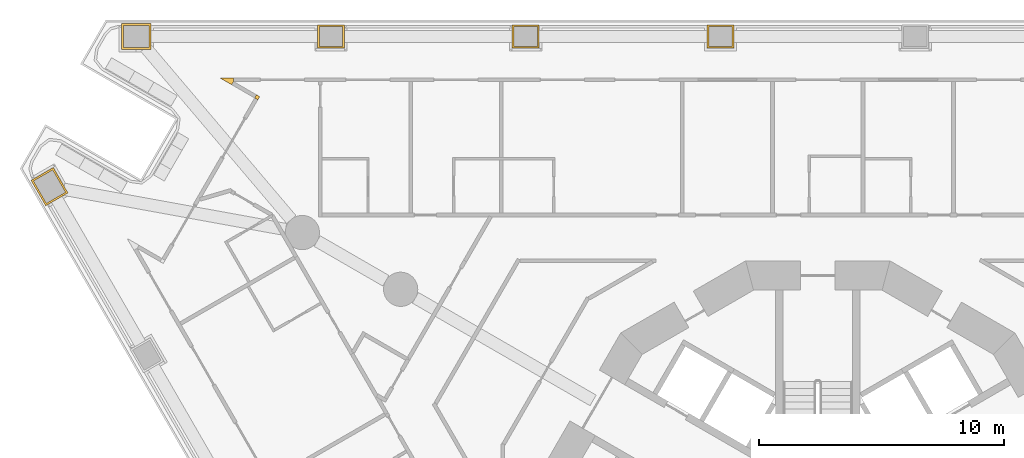
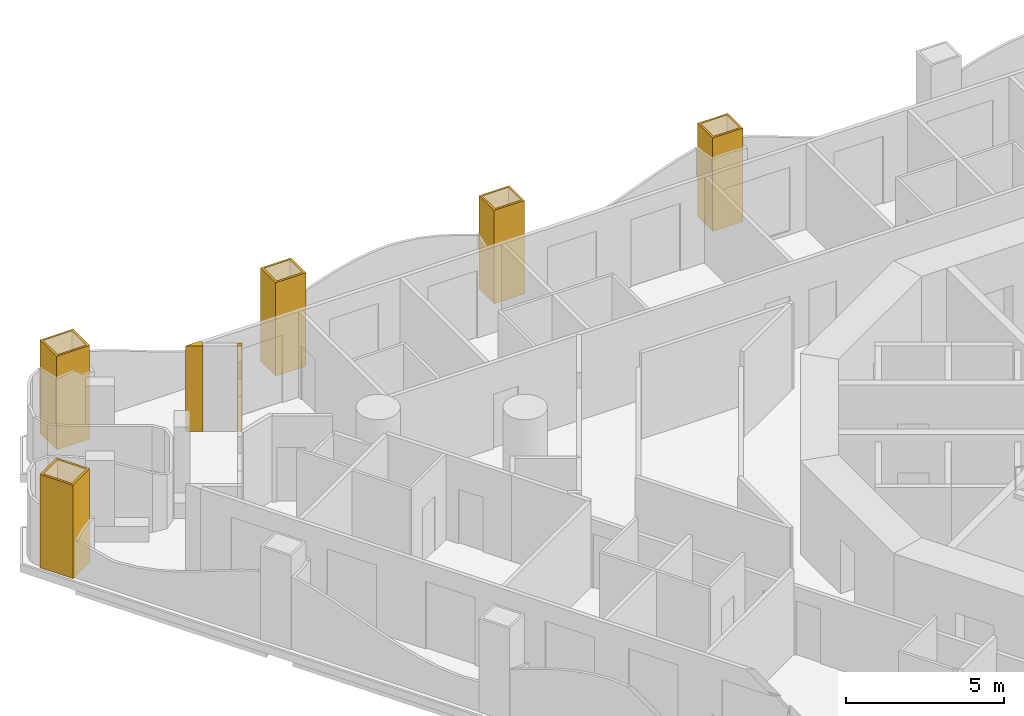
# One storey, part 16 of 19: 7 coverings.
"""IFC4 building model written with IfcOpenShell, lengths in metres."""

from ifc_helpers import new_model, si_unit, direction, frame, origin, place, context, subcontext, project, spatial, polyline, outline, extrude, material, layer, layer_set, type_object, element, save


model = new_model("IFC4")

# Units and contexts
model_context = context("Model", 3, precision=1e-05, world=origin(), true_north=direction((0.0, 1.0)))
body_context = subcontext(model_context, "Body", "Model", "MODEL_VIEW")
ifc_project = project(units=[si_unit("LENGTHUNIT", "METRE"), si_unit("AREAUNIT", "SQUARE_METRE"), si_unit("VOLUMEUNIT", "CUBIC_METRE"), si_unit("PLANEANGLEUNIT", "RADIAN"), si_unit("MASSUNIT", "GRAM", prefix="KILO")], contexts=[model_context])

# Site, building, storey
site_placement = place(None, origin())
site = spatial("IfcSite", under=ifc_project, at=site_placement, CompositionType="ELEMENT")
building_placement = place(site_placement, origin())
building = spatial("IfcBuilding", under=site, at=building_placement, Name="Trine Commons Tower", CompositionType="ELEMENT")
storey_placement = place(building_placement, frame((0.0, 0.0, 31.5)))
storey = spatial("IfcBuildingStorey", under=building, at=storey_placement, Name="L06", CompositionType="ELEMENT", Elevation=31.5)

# Coverings
ifc_material_1 = material(Name="Aluminium-framed insulated wall panel", Category="aluminium")
ifc_layer_1 = layer(ifc_material_1, 0.14990234375)
ifc_layer_set_1 = layer_set([ifc_layer_1], Name="Aluminium-framed insulated wall panel")
covering_type_1 = type_object("IfcCoveringType", Name="Glazing corner post, aluminium", PredefinedType="CLADDING", material=ifc_layer_set_1)
covering_1_placement = place(storey_placement, origin())
element("IfcCovering", 1, at=covering_1_placement, inside=storey, type_object=covering_type_1, Name="Glazing corner post 1-03", PredefinedType="CLADDING", context=body_context, shape_type="SweptSolid", body=[
    extrude(outline(polyline([(57.101318359375, 80.0966796875), (57.176513671875, 80.226806640625), (57.04638671875, 80.3017578125), (56.971435546875, 80.171875), (57.101318359375, 80.0966796875)])), origin(), (0.0, 0.0, 1.0), 3.300048828125),
])
covering_2_placement = place(storey_placement, origin())
element("IfcCovering", 2, at=covering_2_placement, inside=storey, type_object=covering_type_1, Name="Glazing corner post 1-04", PredefinedType="CLADDING", context=body_context, shape_type="SweptSolid", body=[
    extrude(outline(polyline([(56.03125, 80.714599609375), (56.106201171875, 80.844482421875), (56.106201171875, 80.99462890625), (55.54638671875, 80.99462890625), (56.03125, 80.714599609375)])), origin(), (0.0, 0.0, 1.0), 3.300048828125),
])
ifc_material_2 = material(Name="Limestone, honed", Category="masonry")
ifc_layer_2 = layer(ifc_material_2, 0.074951171875)
ifc_layer_set_2 = layer_set([ifc_layer_2], Name="Limestone, honed")
covering_type_2 = type_object("IfcCoveringType", Name="Limestone column cladding 75", PredefinedType="CLADDING", material=ifc_layer_set_2)
covering_3_placement = place(storey_placement, origin())
element("IfcCovering", 3, at=covering_3_placement, inside=storey, type_object=covering_type_2, Name="Limestone pier cladding 1-08", PredefinedType="CLADDING", context=body_context, shape_type="SweptSolid", body=[
    extrude(outline(polyline([(48.73828125, 77.327392578125), (47.8291015625, 76.802490234375), (48.428955078125, 75.76318359375), (49.33837890625, 76.288330078125), (48.73828125, 77.327392578125)]), holes=[polyline([(48.7109375, 77.22509765625), (47.931396484375, 76.775146484375), (48.45654296875, 75.86572265625), (49.23583984375, 76.315673828125), (48.7109375, 77.22509765625)])]), origin(), (0.0, 0.0, 1.0), 3.60009765625),
])
covering_4_placement = place(storey_placement, origin())
element("IfcCovering", 4, at=covering_4_placement, inside=storey, type_object=covering_type_2, Name="Limestone pier cladding 1-09", PredefinedType="CLADDING", context=body_context, shape_type="SweptSolid", body=[
    extrude(outline(polyline([(52.728271484375, 82.15966796875), (52.728271484375, 83.209716796875), (51.5283203125, 83.209716796875), (51.5283203125, 82.15966796875), (52.728271484375, 82.15966796875)]), holes=[polyline([(52.6533203125, 82.234619140625), (52.6533203125, 83.134521484375), (51.603271484375, 83.134521484375), (51.603271484375, 82.234619140625), (52.6533203125, 82.234619140625)])]), origin(), (0.0, 0.0, 1.0), 3.60009765625),
])
covering_5_placement = place(storey_placement, origin())
element("IfcCovering", 5, at=covering_5_placement, inside=storey, type_object=covering_type_2, Name="Limestone pier cladding 1-10", PredefinedType="CLADDING", context=body_context, shape_type="SweptSolid", body=[
    extrude(outline(polyline([(60.6416015625, 82.209716796875), (60.6416015625, 83.15966796875), (59.54150390625, 83.15966796875), (59.54150390625, 82.209716796875), (60.6416015625, 82.209716796875)]), holes=[polyline([(60.566650390625, 82.28466796875), (60.566650390625, 83.084716796875), (59.61669921875, 83.084716796875), (59.61669921875, 82.28466796875), (60.566650390625, 82.28466796875)])]), origin(), (0.0, 0.0, 1.0), 3.60009765625),
])
covering_6_placement = place(storey_placement, origin())
element("IfcCovering", 6, at=covering_6_placement, inside=storey, type_object=covering_type_2, Name="Limestone pier cladding 1-11", PredefinedType="CLADDING", context=body_context, shape_type="SweptSolid", body=[
    extrude(outline(polyline([(68.60498046875, 82.209716796875), (68.60498046875, 83.15966796875), (67.5048828125, 83.15966796875), (67.5048828125, 82.209716796875), (68.60498046875, 82.209716796875)]), holes=[polyline([(68.52978515625, 82.28466796875), (68.52978515625, 83.084716796875), (67.579833984375, 83.084716796875), (67.579833984375, 82.28466796875), (68.52978515625, 82.28466796875)])]), origin(), (0.0, 0.0, 1.0), 3.60009765625),
])
covering_7_placement = place(storey_placement, origin())
element("IfcCovering", 7, at=covering_7_placement, inside=storey, type_object=covering_type_2, Name="Limestone pier cladding 1-12", PredefinedType="CLADDING", context=body_context, shape_type="SweptSolid", body=[
    extrude(outline(polyline([(76.568359375, 82.209716796875), (76.568359375, 83.15966796875), (75.46826171875, 83.15966796875), (75.46826171875, 82.209716796875), (76.568359375, 82.209716796875)]), holes=[polyline([(76.493408203125, 82.28466796875), (76.493408203125, 83.084716796875), (75.543212890625, 83.084716796875), (75.543212890625, 82.28466796875), (76.493408203125, 82.28466796875)])]), origin(), (0.0, 0.0, 1.0), 3.60009765625),
])

save(model, "model.ifc")
